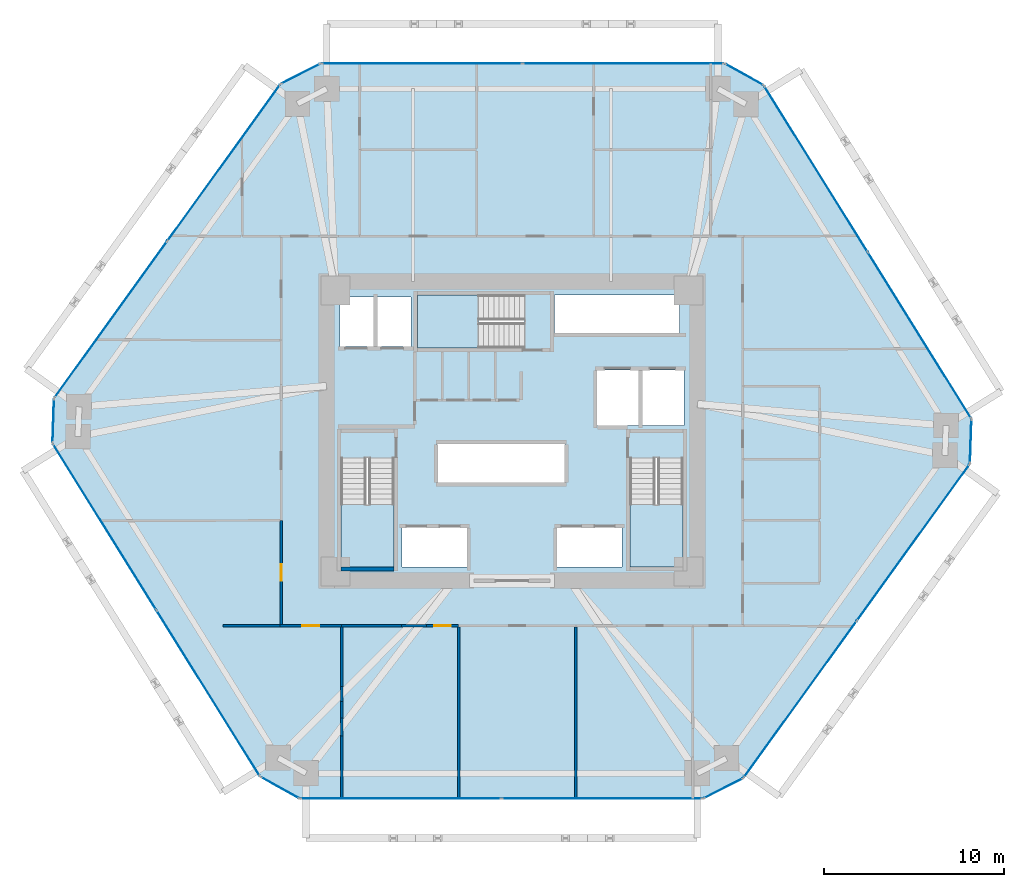
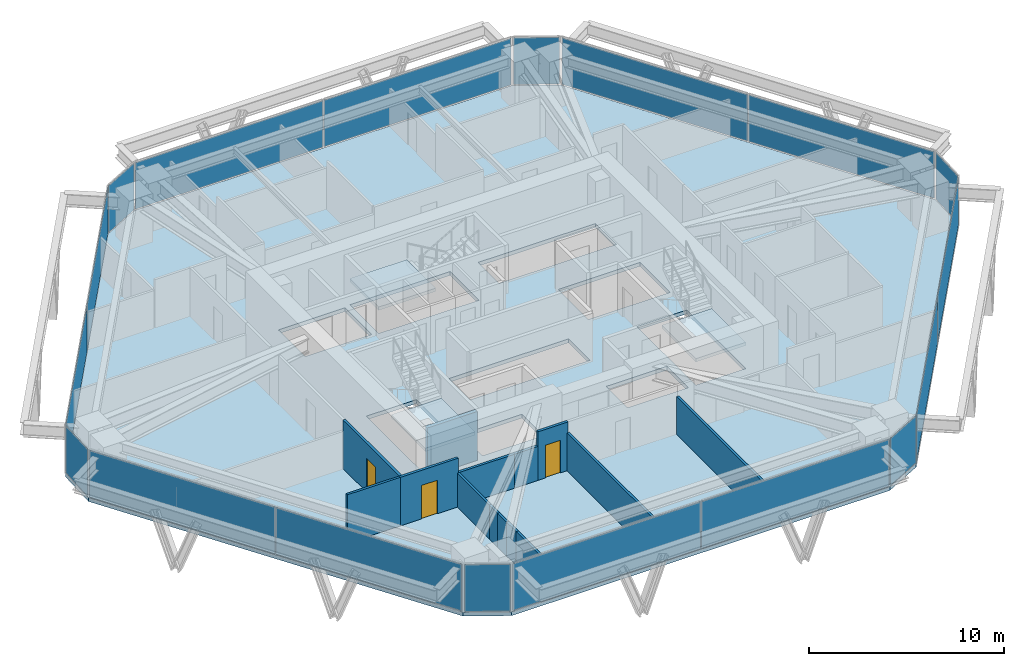
# One storey, part 10 of 15: 18 plates, 14 walls, 4 slabs, 3 doors, 3 openings, 15 elements without a shape of their own.
"""IFC4 building model written with IfcOpenShell, lengths in metres."""

from ifc_helpers import new_model, si_unit, direction, frame, frame_2d, origin, origin_2d, place, context, subcontext, project, spatial, polyline, rectangle, outline, extrude, source, transform, mapped, material, layer, layer_set, type_object, type_shapes, element, fill, aggregate, save


model = new_model("IFC4")

# Units and contexts
model_context = context("Model", 3, precision=1e-05, world=origin(), true_north=direction((0.0, 1.0)))
body_context = subcontext(model_context, "Body", "Model", "MODEL_VIEW")
ifc_project = project(units=[si_unit("LENGTHUNIT", "METRE"), si_unit("AREAUNIT", "SQUARE_METRE"), si_unit("VOLUMEUNIT", "CUBIC_METRE"), si_unit("PLANEANGLEUNIT", "RADIAN"), si_unit("MASSUNIT", "GRAM", prefix="KILO")], contexts=[model_context])

# Site, building, storey
site_placement = place(None, origin())
site = spatial("IfcSite", under=ifc_project, at=site_placement, CompositionType="ELEMENT")
building_placement = place(site_placement, origin())
building = spatial("IfcBuilding", under=site, at=building_placement, Name="Durnholm Broadcast Tower", CompositionType="ELEMENT")
storey_placement = place(building_placement, frame((0.0, 0.0, 42.300048828125)))
storey = spatial("IfcBuildingStorey", under=building, at=storey_placement, Name="L09", CompositionType="ELEMENT", Elevation=42.300048828125)

# Slab
ifc_material_1 = material(Name="Concrete C50/60", Category="concrete")
ifc_layer_1 = layer(ifc_material_1, 0.239990234375)
ifc_layer_set_1 = layer_set([ifc_layer_1], Name="Concrete C50/60")
slab_type_1 = type_object("IfcSlabType", Name="SLAB-FLR-240", PredefinedType="FLOOR", material=ifc_layer_set_1)
slab_1_placement = place(storey_placement, frame((0.0, 0.0, -0.239990234375)))
element("IfcSlab", 1, at=slab_1_placement, inside=storey, type_object=slab_type_1, Name="L09 structural floor slab", PredefinedType="FLOOR", context=body_context, shape_type="SweptSolid", body=[
    extrude(outline(polyline([(-13.9794921875, -19.186279296875), (-11.793701171875, -20.39990234375), (10.6201171875, -20.39990234375), (12.845703125, -19.260986328125), (25.419921875, -1.820556640625), (25.50439453125, 0.677978515625), (13.9794921875, 19.186279296875), (11.793701171875, 20.39990234375), (-10.6201171875, 20.39990234375), (-12.845703125, 19.260986328125), (-25.419921875, 1.820556640625), (-25.50439453125, -0.677978515625), (-13.9794921875, -19.186279296875)]), holes=[polyline([(-2.5, -5.35009765625), (-6.10009765625, -5.35009765625), (-6.10009765625, -7.550048828125), (-2.5, -7.550048828125), (-2.5, -5.35009765625)]), polyline([(6.10009765625, -5.35009765625), (2.5, -5.35009765625), (2.5, -7.550048828125), (6.10009765625, -7.550048828125), (6.10009765625, -5.35009765625)]), polyline([(-6.5400390625, -7.550048828125), (-6.5400390625, -1.5), (-9.5, -1.5), (-9.5, -7.550048828125), (-6.5400390625, -7.550048828125)]), polyline([(9.5, -7.550048828125), (9.5, -1.5), (6.5400390625, -1.5), (6.5400390625, -7.550048828125), (9.5, -7.550048828125)]), polyline([(2.949951171875, -0.699951171875), (-4.14990234375, -0.699951171875), (-4.14990234375, -2.89990234375), (2.949951171875, -2.89990234375), (2.949951171875, -0.699951171875)]), polyline([(9.550048828125, 3.39990234375), (4.699951171875, 3.39990234375), (4.699951171875, 0.300048828125), (9.550048828125, 0.300048828125), (9.550048828125, 3.39990234375)]), polyline([(-5.60009765625, 7.449951171875), (-9.550048828125, 7.449951171875), (-9.550048828125, 4.699951171875), (-5.60009765625, 4.699951171875), (-5.60009765625, 7.449951171875)]), polyline([(-5.25, 7.56005859375), (-5.25, 4.60009765625), (0.699951171875, 4.60009765625), (0.699951171875, 7.56005859375), (-5.25, 7.56005859375)]), polyline([(9.31005859375, 5.39990234375), (9.31005859375, 7.550048828125), (2.35009765625, 7.550048828125), (2.35009765625, 5.39990234375), (9.31005859375, 5.39990234375)])]), origin(), (0.0, 0.0, 1.0), 0.239990234375),
])

# Stair, slab
stair_type = type_object("IfcStairType", Name="STAIR-DL-20R1650", PredefinedType="HALF_TURN_STAIR", material=ifc_material_1)
stair_1_placement = place(storey_placement, origin())
stair_1 = element("IfcStair", 2, at=stair_1_placement, inside=storey, type_object=stair_type, Name="L09 ST-1", PredefinedType="HALF_TURN_STAIR")
ifc_layer_2 = layer(ifc_material_1, 0.199951171875)
ifc_layer_set_2 = layer_set([ifc_layer_2], Name="Concrete C50/60")
slab_type_2 = type_object("IfcSlabType", Name="SLAB-LND-200", PredefinedType="LANDING", material=ifc_layer_set_2)
slab_2_placement = place(storey_placement, frame((0.0, 0.0, 1.449951171875)))
slab_2 = element("IfcSlab", 3, at=slab_2_placement, type_object=slab_type_2, Name="ST-1 landing 1", PredefinedType="LANDING", context=body_context, shape_type="SweptSolid", body=[
    extrude(outline(polyline([(-9.5, -4.06494140625), (-9.5, -7.550048828125), (-6.5400390625, -7.550048828125), (-6.5400390625, -4.06494140625), (-9.5, -4.06494140625)])), origin(), (0.0, 0.0, 1.0), 0.199951171875),
])
aggregate(stair_1, [slab_2])

stair_2_placement = place(storey_placement, origin())
stair_2 = element("IfcStair", 4, at=stair_2_placement, inside=storey, type_object=stair_type, Name="L09 ST-2", PredefinedType="HALF_TURN_STAIR")
slab_3_placement = place(storey_placement, frame((0.0, 0.0, 1.449951171875)))
slab_3 = element("IfcSlab", 5, at=slab_3_placement, type_object=slab_type_2, Name="ST-2 landing 1", PredefinedType="LANDING", context=body_context, shape_type="SweptSolid", body=[
    extrude(outline(polyline([(6.5400390625, -4.06494140625), (6.5400390625, -7.550048828125), (9.5, -7.550048828125), (9.5, -4.06494140625), (6.5400390625, -4.06494140625)])), origin(), (0.0, 0.0, 1.0), 0.199951171875),
])
aggregate(stair_2, [slab_3])

stair_3_placement = place(storey_placement, origin())
stair_3 = element("IfcStair", 6, at=stair_3_placement, inside=storey, type_object=stair_type, Name="L09 ST-3", PredefinedType="HALF_TURN_STAIR")
slab_4_placement = place(storey_placement, frame((0.0, 0.0, 1.449951171875)))
slab_4 = element("IfcSlab", 7, at=slab_4_placement, type_object=slab_type_2, Name="ST-3 landing 1", PredefinedType="LANDING", context=body_context, shape_type="SweptSolid", body=[
    extrude(outline(polyline([(-1.864990234375, 7.56005859375), (-5.25, 7.56005859375), (-5.25, 4.60009765625), (-1.864990234375, 4.60009765625), (-1.864990234375, 7.56005859375)])), origin(), (0.0, 0.0, 1.0), 0.199951171875),
])
aggregate(stair_3, [slab_4])

# Curtain wall, plate
ifc_material_2 = material(Name="Aluminium and Solar Control IGU", Category="aluminium")
ifc_layer_3 = layer(ifc_material_2, 0.1650390625)
ifc_layer_set_3 = layer_set([ifc_layer_3], Name="Aluminium and Solar Control IGU")
curtain_wall_type_1 = type_object("IfcCurtainWallType", Name="CW-SYS-5", PredefinedType="NOTDEFINED", material=ifc_layer_set_3)
curtain_wall_1_placement = place(storey_placement, origin())
curtain_wall_1 = element("IfcCurtainWall", 8, at=curtain_wall_1_placement, inside=storey, type_object=curtain_wall_type_1, Name="L09 curtain wall CW-CORNER CW-L09-CRN-01", PredefinedType="NOTDEFINED")
ifc_material_3 = material(Name="Low-E Laminated Insulating Glass", Category="glass")
ifc_layer_4 = layer(ifc_material_3, 0.030029296875)
ifc_layer_set_4 = layer_set([ifc_layer_4], Name="Low-E Laminated Insulating Glass")
plate_type_1 = type_object("IfcPlateType", Name="CW-SYS-5-PNL", PredefinedType="CURTAIN_PANEL", material=ifc_layer_set_4)
shared_shape_1 = source(origin(), body_context, "Body", "SweptSolid", [
    extrude(rectangle(XDim=2.3701171875, YDim=0.030029296875, at=origin_2d()), origin(), (0.0, 0.0, 1.0), 2.929931640625),
])
plate_1_placement = place(storey_placement, frame((-25.462158203125, 0.5712890625, 0.06494140625), z_axis=(0.0, 0.0, 1.0), x_axis=(0.033839569233, 0.999427277772, 0.0)))
plate_1 = element("IfcPlate", 9, at=plate_1_placement, type_object=plate_type_1, Name="CW-CORNER panel 1.1", PredefinedType="CURTAIN_PANEL", context=body_context, shape_type="MappedRepresentation", body=[
    mapped(shared_shape_1, transform((0.0, 0.0, 0.0), x_axis=(1.0, 0.0, 0.0), y_axis=(0.0, 1.0, 0.0), z_axis=(0.0, 0.0, 1.0), scale=1.0)),
])
aggregate(curtain_wall_1, [plate_1])

curtain_wall_2_placement = place(storey_placement, origin())
curtain_wall_2 = element("IfcCurtainWall", 10, at=curtain_wall_2_placement, inside=storey, type_object=curtain_wall_type_1, Name="L09 curtain wall CW-CORNER CW-L09-CRN-03", PredefinedType="NOTDEFINED")
plate_2_placement = place(storey_placement, frame((-11.73291015625, 19.83056640625, 0.06494140625), z_axis=(0.0, 0.0, 1.0), x_axis=(0.890187804512, 0.455593758406, 0.0)))
plate_2 = element("IfcPlate", 11, at=plate_2_placement, type_object=plate_type_1, Name="CW-CORNER panel 1.1", PredefinedType="CURTAIN_PANEL", context=body_context, shape_type="MappedRepresentation", body=[
    mapped(shared_shape_1, transform((0.0, 0.0, 0.0), x_axis=(1.0, 0.0, 0.0), y_axis=(0.0, 1.0, 0.0), z_axis=(0.0, 0.0, 1.0), scale=1.0)),
])
aggregate(curtain_wall_2, [plate_2])

curtain_wall_3_placement = place(storey_placement, origin())
curtain_wall_3 = element("IfcCurtainWall", 12, at=curtain_wall_3_placement, inside=storey, type_object=curtain_wall_type_1, Name="L09 curtain wall CW-CORNER CW-L09-CRN-07", PredefinedType="NOTDEFINED")
plate_3_placement = place(storey_placement, frame((25.462158203125, -0.5712890625, 0.06494140625), z_axis=(0.0, 0.0, 1.0), x_axis=(-0.033839569233, -0.999427277772, 0.0)))
plate_3 = element("IfcPlate", 13, at=plate_3_placement, type_object=plate_type_1, Name="CW-CORNER panel 1.1", PredefinedType="CURTAIN_PANEL", context=body_context, shape_type="MappedRepresentation", body=[
    mapped(shared_shape_1, transform((0.0, 0.0, 0.0), x_axis=(1.0, 0.0, 0.0), y_axis=(0.0, 1.0, 0.0), z_axis=(0.0, 0.0, 1.0), scale=1.0)),
])
aggregate(curtain_wall_3, [plate_3])

curtain_wall_4_placement = place(storey_placement, origin())
curtain_wall_4 = element("IfcCurtainWall", 14, at=curtain_wall_4_placement, inside=storey, type_object=curtain_wall_type_1, Name="L09 curtain wall CW-CORNER CW-L09-CRN-09", PredefinedType="NOTDEFINED")
plate_4_placement = place(storey_placement, frame((11.73291015625, -19.83056640625, 0.06494140625), z_axis=(0.0, 0.0, 1.0), x_axis=(-0.890187804512, -0.455593758406, 0.0)))
plate_4 = element("IfcPlate", 15, at=plate_4_placement, type_object=plate_type_1, Name="CW-CORNER panel 1.1", PredefinedType="CURTAIN_PANEL", context=body_context, shape_type="MappedRepresentation", body=[
    mapped(shared_shape_1, transform((0.0, 0.0, 0.0), x_axis=(1.0, 0.0, 0.0), y_axis=(0.0, 1.0, 0.0), z_axis=(0.0, 0.0, 1.0), scale=1.0)),
])
aggregate(curtain_wall_4, [plate_4])

# Curtain wall, plates
ifc_layer_5 = layer(ifc_material_2, 0.18994140625)
ifc_layer_set_5 = layer_set([ifc_layer_5], Name="Aluminium and Solar Control IGU")
curtain_wall_type_2 = type_object("IfcCurtainWallType", Name="CW-SYS-3", PredefinedType="NOTDEFINED", material=ifc_layer_set_5)
curtain_wall_5_placement = place(storey_placement, origin())
curtain_wall_5 = element("IfcCurtainWall", 16, at=curtain_wall_5_placement, inside=storey, type_object=curtain_wall_type_2, Name="L09 curtain wall CW-Z12-VIS CW-L09-F02", PredefinedType="NOTDEFINED")
ifc_layer_6 = layer(ifc_material_3, 0.031982421875)
ifc_layer_set_6 = layer_set([ifc_layer_6], Name="Low-E Laminated Insulating Glass")
plate_type_2 = type_object("IfcPlateType", Name="CW-SYS-3-PNL", PredefinedType="CURTAIN_PANEL", material=ifc_layer_set_6)
shared_shape_2 = source(origin(), body_context, "Body", "SweptSolid", [
    extrude(rectangle(XDim=10.645263671875, YDim=0.031982421875, at=origin_2d()), origin(), (0.0, 0.0, 1.0), 2.919921875),
])
plate_5_placement = place(storey_placement, frame((-22.26611328125, 6.19482421875, 0.070068359375), z_axis=(0.0, 0.0, 1.0), x_axis=(0.584823496176, 0.81116057493, 0.0)))
plate_5 = element("IfcPlate", 17, at=plate_5_placement, type_object=plate_type_2, Name="CW-Z12-VIS panel 1.1", PredefinedType="CURTAIN_PANEL", context=body_context, shape_type="MappedRepresentation", body=[
    mapped(shared_shape_2, transform((0.0, 0.0, 0.0), x_axis=(1.0, 0.0, 0.0), y_axis=(0.0, 1.0, 0.0), z_axis=(0.0, 0.0, 1.0), scale=1.0)),
])
plate_6_placement = place(storey_placement, frame((-15.99951171875, 14.88671875, 0.070068359375), z_axis=(0.0, 0.0, 1.0), x_axis=(0.584823496176, 0.81116057493, 0.0)))
plate_6 = element("IfcPlate", 18, at=plate_6_placement, type_object=plate_type_2, Name="CW-Z12-VIS panel 2.1", PredefinedType="CURTAIN_PANEL", context=body_context, shape_type="MappedRepresentation", body=[
    mapped(shared_shape_2, transform((0.0, 0.0, 0.0), x_axis=(1.0, 0.0, 0.0), y_axis=(0.0, 1.0, 0.0), z_axis=(0.0, 0.0, 1.0), scale=1.0)),
])
aggregate(curtain_wall_5, [plate_5, plate_6])

curtain_wall_6_placement = place(storey_placement, origin())
curtain_wall_6 = element("IfcCurtainWall", 19, at=curtain_wall_6_placement, inside=storey, type_object=curtain_wall_type_2, Name="L09 curtain wall CW-Z12-VIS CW-L09-F08", PredefinedType="NOTDEFINED")
plate_7_placement = place(storey_placement, frame((22.26611328125, -6.19482421875, 0.070068359375), z_axis=(0.0, 0.0, 1.0), x_axis=(-0.584823496176, -0.81116057493, 0.0)))
plate_7 = element("IfcPlate", 20, at=plate_7_placement, type_object=plate_type_2, Name="CW-Z12-VIS panel 1.1", PredefinedType="CURTAIN_PANEL", context=body_context, shape_type="MappedRepresentation", body=[
    mapped(shared_shape_2, transform((0.0, 0.0, 0.0), x_axis=(1.0, 0.0, 0.0), y_axis=(0.0, 1.0, 0.0), z_axis=(0.0, 0.0, 1.0), scale=1.0)),
])
plate_8_placement = place(storey_placement, frame((15.99951171875, -14.88671875, 0.070068359375), z_axis=(0.0, 0.0, 1.0), x_axis=(-0.584823496176, -0.81116057493, 0.0)))
plate_8 = element("IfcPlate", 21, at=plate_8_placement, type_object=plate_type_2, Name="CW-Z12-VIS panel 2.1", PredefinedType="CURTAIN_PANEL", context=body_context, shape_type="MappedRepresentation", body=[
    mapped(shared_shape_2, transform((0.0, 0.0, 0.0), x_axis=(1.0, 0.0, 0.0), y_axis=(0.0, 1.0, 0.0), z_axis=(0.0, 0.0, 1.0), scale=1.0)),
])
aggregate(curtain_wall_6, [plate_7, plate_8])

# Curtain wall, plate
curtain_wall_7_placement = place(storey_placement, origin())
curtain_wall_7 = element("IfcCurtainWall", 22, at=curtain_wall_7_placement, inside=storey, type_object=curtain_wall_type_1, Name="L09 curtain wall CW-CORNER CW-L09-CRN-05", PredefinedType="NOTDEFINED")
shared_shape_3 = source(origin(), body_context, "Body", "SweptSolid", [
    extrude(rectangle(XDim=2.369873046875, YDim=0.030029296875, at=origin_2d()), origin(), (0.0, 0.0, 1.0), 2.929931640625),
])
type_shapes(plate_type_1, [shared_shape_1, shared_shape_3])
plate_9_placement = place(storey_placement, frame((12.88671875, 19.793212890625, 0.06494140625), z_axis=(0.0, 0.0, 1.0), x_axis=(0.874245941394, -0.485483299359, 0.0)))
plate_9 = element("IfcPlate", 23, at=plate_9_placement, type_object=plate_type_1, Name="CW-CORNER panel 1.1", PredefinedType="CURTAIN_PANEL", context=body_context, shape_type="MappedRepresentation", body=[
    mapped(shared_shape_3, transform((0.0, 0.0, 0.0), x_axis=(1.0, 0.0, 0.0), y_axis=(0.0, 1.0, 0.0), z_axis=(0.0, 0.0, 1.0), scale=1.0)),
])
aggregate(curtain_wall_7, [plate_9])

curtain_wall_8_placement = place(storey_placement, origin())
curtain_wall_8 = element("IfcCurtainWall", 24, at=curtain_wall_8_placement, inside=storey, type_object=curtain_wall_type_1, Name="L09 curtain wall CW-CORNER CW-L09-CRN-11", PredefinedType="NOTDEFINED")
plate_10_placement = place(storey_placement, frame((-12.88671875, -19.793212890625, 0.06494140625), z_axis=(0.0, 0.0, 1.0), x_axis=(-0.874245941394, 0.485483299359, 0.0)))
plate_10 = element("IfcPlate", 25, at=plate_10_placement, type_object=plate_type_1, Name="CW-CORNER panel 1.1", PredefinedType="CURTAIN_PANEL", context=body_context, shape_type="MappedRepresentation", body=[
    mapped(shared_shape_3, transform((0.0, 0.0, 0.0), x_axis=(1.0, 0.0, 0.0), y_axis=(0.0, 1.0, 0.0), z_axis=(0.0, 0.0, 1.0), scale=1.0)),
])
aggregate(curtain_wall_8, [plate_10])

# Curtain wall, plates
curtain_wall_9_placement = place(storey_placement, origin())
curtain_wall_9 = element("IfcCurtainWall", 26, at=curtain_wall_9_placement, inside=storey, type_object=curtain_wall_type_2, Name="L09 curtain wall CW-Z12-VIS CW-L09-F06", PredefinedType="NOTDEFINED")
shared_shape_4 = source(origin(), body_context, "Body", "SweptSolid", [
    extrude(rectangle(XDim=10.796630859375, YDim=0.031982421875, at=origin_2d()), origin(), (0.0, 0.0, 1.0), 2.919921875),
])
plate_11_placement = place(storey_placement, frame((16.869873046875, 14.54443359375, 0.070068359375), z_axis=(0.0, 0.0, 1.0), x_axis=(0.528592376777, -0.848875785503, 0.0)))
plate_11 = element("IfcPlate", 27, at=plate_11_placement, type_object=plate_type_2, Name="CW-Z12-VIS panel 1.1", PredefinedType="CURTAIN_PANEL", context=body_context, shape_type="MappedRepresentation", body=[
    mapped(shared_shape_4, transform((0.0, 0.0, 0.0), x_axis=(1.0, 0.0, 0.0), y_axis=(0.0, 1.0, 0.0), z_axis=(0.0, 0.0, 1.0), scale=1.0)),
])
plate_12_placement = place(storey_placement, frame((22.614013671875, 5.320068359375, 0.070068359375), z_axis=(0.0, 0.0, 1.0), x_axis=(0.528592376777, -0.848875785503, 0.0)))
plate_12 = element("IfcPlate", 28, at=plate_12_placement, type_object=plate_type_2, Name="CW-Z12-VIS panel 2.1", PredefinedType="CURTAIN_PANEL", context=body_context, shape_type="MappedRepresentation", body=[
    mapped(shared_shape_4, transform((0.0, 0.0, 0.0), x_axis=(1.0, 0.0, 0.0), y_axis=(0.0, 1.0, 0.0), z_axis=(0.0, 0.0, 1.0), scale=1.0)),
])
aggregate(curtain_wall_9, [plate_11, plate_12])

curtain_wall_10_placement = place(storey_placement, origin())
curtain_wall_10 = element("IfcCurtainWall", 29, at=curtain_wall_10_placement, inside=storey, type_object=curtain_wall_type_2, Name="L09 curtain wall CW-Z12-VIS CW-L09-F12", PredefinedType="NOTDEFINED")
plate_13_placement = place(storey_placement, frame((-16.869873046875, -14.54443359375, 0.070068359375), z_axis=(0.0, 0.0, 1.0), x_axis=(-0.528592376777, 0.848875785503, 0.0)))
plate_13 = element("IfcPlate", 30, at=plate_13_placement, type_object=plate_type_2, Name="CW-Z12-VIS panel 1.1", PredefinedType="CURTAIN_PANEL", context=body_context, shape_type="MappedRepresentation", body=[
    mapped(shared_shape_4, transform((0.0, 0.0, 0.0), x_axis=(1.0, 0.0, 0.0), y_axis=(0.0, 1.0, 0.0), z_axis=(0.0, 0.0, 1.0), scale=1.0)),
])
plate_14_placement = place(storey_placement, frame((-22.614013671875, -5.320068359375, 0.070068359375), z_axis=(0.0, 0.0, 1.0), x_axis=(-0.528592376777, 0.848875785503, 0.0)))
plate_14 = element("IfcPlate", 31, at=plate_14_placement, type_object=plate_type_2, Name="CW-Z12-VIS panel 2.1", PredefinedType="CURTAIN_PANEL", context=body_context, shape_type="MappedRepresentation", body=[
    mapped(shared_shape_4, transform((0.0, 0.0, 0.0), x_axis=(1.0, 0.0, 0.0), y_axis=(0.0, 1.0, 0.0), z_axis=(0.0, 0.0, 1.0), scale=1.0)),
])
aggregate(curtain_wall_10, [plate_13, plate_14])

curtain_wall_11_placement = place(storey_placement, origin())
curtain_wall_11 = element("IfcCurtainWall", 32, at=curtain_wall_11_placement, inside=storey, type_object=curtain_wall_type_2, Name="L09 curtain wall CW-Z12-VIS CW-L09-F04", PredefinedType="NOTDEFINED")
shared_shape_5 = source(origin(), body_context, "Body", "SweptSolid", [
    extrude(rectangle(XDim=11.10205078125, YDim=0.031982421875, at=origin_2d()), origin(), (0.0, 0.0, 1.0), 2.919921875),
])
type_shapes(plate_type_2, [shared_shape_2, shared_shape_4, shared_shape_5])
plate_15_placement = place(storey_placement, frame((-4.999267578125, 20.39990234375, 0.070068359375), z_axis=(0.0, 0.0, 1.0), x_axis=(1.0, 0.0, 0.0)))
plate_15 = element("IfcPlate", 33, at=plate_15_placement, type_object=plate_type_2, Name="CW-Z12-VIS panel 1.1", PredefinedType="CURTAIN_PANEL", context=body_context, shape_type="MappedRepresentation", body=[
    mapped(shared_shape_5, transform((0.0, 0.0, 0.0), x_axis=(1.0, 0.0, 0.0), y_axis=(0.0, 1.0, 0.0), z_axis=(0.0, 0.0, 1.0), scale=1.0)),
])
plate_16_placement = place(storey_placement, frame((6.1728515625, 20.39990234375, 0.070068359375), z_axis=(0.0, 0.0, 1.0), x_axis=(1.0, 0.0, 0.0)))
plate_16 = element("IfcPlate", 34, at=plate_16_placement, type_object=plate_type_2, Name="CW-Z12-VIS panel 2.1", PredefinedType="CURTAIN_PANEL", context=body_context, shape_type="MappedRepresentation", body=[
    mapped(shared_shape_5, transform((0.0, 0.0, 0.0), x_axis=(1.0, 0.0, 0.0), y_axis=(0.0, 1.0, 0.0), z_axis=(0.0, 0.0, 1.0), scale=1.0)),
])
aggregate(curtain_wall_11, [plate_15, plate_16])

curtain_wall_12_placement = place(storey_placement, origin())
curtain_wall_12 = element("IfcCurtainWall", 35, at=curtain_wall_12_placement, inside=storey, type_object=curtain_wall_type_2, Name="L09 curtain wall CW-Z12-VIS CW-L09-F10", PredefinedType="NOTDEFINED")
plate_17_placement = place(storey_placement, frame((4.999267578125, -20.39990234375, 0.070068359375), z_axis=(0.0, 0.0, 1.0), x_axis=(-1.0, 0.0, 0.0)))
plate_17 = element("IfcPlate", 36, at=plate_17_placement, type_object=plate_type_2, Name="CW-Z12-VIS panel 1.1", PredefinedType="CURTAIN_PANEL", context=body_context, shape_type="MappedRepresentation", body=[
    mapped(shared_shape_5, transform((0.0, 0.0, 0.0), x_axis=(1.0, 0.0, 0.0), y_axis=(0.0, 1.0, 0.0), z_axis=(0.0, 0.0, 1.0), scale=1.0)),
])
plate_18_placement = place(storey_placement, frame((-6.1728515625, -20.39990234375, 0.070068359375), z_axis=(0.0, 0.0, 1.0), x_axis=(-1.0, 0.0, 0.0)))
plate_18 = element("IfcPlate", 37, at=plate_18_placement, type_object=plate_type_2, Name="CW-Z12-VIS panel 2.1", PredefinedType="CURTAIN_PANEL", context=body_context, shape_type="MappedRepresentation", body=[
    mapped(shared_shape_5, transform((0.0, 0.0, 0.0), x_axis=(1.0, 0.0, 0.0), y_axis=(0.0, 1.0, 0.0), z_axis=(0.0, 0.0, 1.0), scale=1.0)),
])
aggregate(curtain_wall_12, [plate_17, plate_18])

# Walls
ifc_material_4 = material(Name="Gypsum Metal Stud Partition", Category="concrete")
ifc_layer_7 = layer(ifc_material_4, 0.135009765625)
ifc_layer_set_7 = layer_set([ifc_layer_7], Name="Gypsum Metal Stud Partition")
wall_type_1 = type_object("IfcWallType", Name="WALL-PART-135", PredefinedType="PARTITIONING", material=ifc_layer_set_7)
wall_1_placement = place(storey_placement, frame((-9.4599609375, -10.888916015625, 0.0), z_axis=(0.0, 0.0, 1.0), x_axis=(0.0, -1.0, 0.0)))
element("IfcWall", 38, at=wall_1_placement, inside=storey, type_object=wall_type_1, Name="L09 room dividing partition 16.17", PredefinedType="PARTITIONING", context=body_context, shape_type="SweptSolid", body=[
    extrude(rectangle(XDim=3.2783203125, YDim=0.135009765625, at=frame_2d((1.63916015625, 0.0))), origin(), (0.0, 0.0, 1.0), 2.130126953125),
])
wall_2_placement = place(storey_placement, frame((-9.4599609375, -15.02392578125, 0.0), z_axis=(0.0, 0.0, 1.0), x_axis=(0.0, -1.0, 0.0)))
element("IfcWall", 39, at=wall_2_placement, inside=storey, type_object=wall_type_1, Name="L09 room dividing partition 16.17", PredefinedType="PARTITIONING", context=body_context, shape_type="SweptSolid", body=[
    extrude(rectangle(XDim=0.91845703125, YDim=0.135009765625, at=frame_2d((0.459228515625, 0.0))), origin(), (0.0, 0.0, 1.0), 2.130126953125),
])
wall_3_placement = place(storey_placement, frame((-9.4599609375, -16.932861328125, 0.0), z_axis=(0.0, 0.0, 1.0), x_axis=(0.0, -1.0, 0.0)))
element("IfcWall", 40, at=wall_3_placement, inside=storey, type_object=wall_type_1, Name="L09 room dividing partition 16.17", PredefinedType="PARTITIONING", context=body_context, shape_type="SweptSolid", body=[
    extrude(rectangle(XDim=3.467041015625, YDim=0.135009765625, at=frame_2d((1.7333984375, 0.0))), origin(), (0.0, 0.0, 1.0), 2.130126953125),
])
wall_4_placement = place(storey_placement, frame((-9.4599609375, -14.167236328125, 0.0), z_axis=(0.0, 0.0, 1.0), x_axis=(0.0, -1.0, 0.0)))
element("IfcWall", 41, at=wall_4_placement, inside=storey, type_object=wall_type_1, Name="L09 room dividing partition 16.17", PredefinedType="PARTITIONING", context=body_context, shape_type="SweptSolid", body=[
    extrude(rectangle(XDim=0.856689453125, YDim=0.135009765625, at=frame_2d((0.42822265625, 0.0))), origin(), (0.0, 0.0, 1.0), 2.130126953125),
])
wall_5_placement = place(storey_placement, frame((-9.4599609375, -15.9423828125, 0.0), z_axis=(0.0, 0.0, 1.0), x_axis=(0.0, -1.0, 0.0)))
element("IfcWall", 42, at=wall_5_placement, inside=storey, type_object=wall_type_1, Name="L09 room dividing partition 16.17", PredefinedType="PARTITIONING", context=body_context, shape_type="SweptSolid", body=[
    extrude(rectangle(XDim=0.990478515625, YDim=0.135009765625, at=frame_2d((0.4951171875, 0.0))), origin(), (0.0, 0.0, 1.0), 2.130126953125),
])
wall_6_placement = place(storey_placement, frame((-16.0400390625, -10.81005859375, 0.0), z_axis=(0.0, 0.0, 1.0), x_axis=(1.0, 0.0, 0.0)))
element("IfcWall", 43, at=wall_6_placement, inside=storey, type_object=wall_type_1, Name="L09 room dividing partition 16.21", PredefinedType="PARTITIONING", context=body_context, shape_type="SweptSolid", body=[
    extrude(rectangle(XDim=3.150146484375, YDim=0.135009765625, at=frame_2d((1.5751953125, 0.0))), origin(), (0.0, 0.0, 1.0), 3.044921875),
])
for number, where, z_axis, x_axis, name in (
    (44, (-2.9599609375, -10.888916015625, 0.0), (0.0, 0.0, 1.0), (0.0, -1.0, 0.0), "L09 room dividing partition 17.18"),
    (45, (3.5400390625, -10.888916015625, 0.0), (0.0, 0.0, 1.0), (0.0, -1.0, 0.0), "L09 room dividing partition 18.19"),
):
    element("IfcWall", number, at=place(storey_placement, frame(where, z_axis=z_axis, x_axis=x_axis)), inside=storey, type_object=wall_type_1, Name=name, PredefinedType="PARTITIONING", context=body_context, shape_type="SweptSolid", body=[
        extrude(rectangle(XDim=9.510986328125, YDim=0.135009765625, at=frame_2d((4.75537109375, 0.0))), origin(), (0.0, 0.0, 1.0), 2.3798828125),
    ])

# Wall, opening, door
ifc_material_5 = material(Name="Acoustic Gypsum Stud Partition", Category="concrete")
ifc_layer_8 = layer(ifc_material_5, 0.14990234375)
ifc_layer_set_8 = layer_set([ifc_layer_8], Name="Acoustic Gypsum Stud Partition")
wall_type_2 = type_object("IfcWallType", Name="WALL-PART-150", PredefinedType="PARTITIONING", material=ifc_layer_set_8)
wall_7_placement = place(storey_placement, frame((-12.889892578125, -10.81005859375, 0.0), z_axis=(0.0, 0.0, 1.0), x_axis=(1.0, 0.0, 0.0)))
wall_7 = element("IfcWall", 46, at=wall_7_placement, inside=storey, type_object=wall_type_2, Name="L09 Media Legal Office corridor partition", PredefinedType="PARTITIONING", context=body_context, shape_type="SweptSolid", body=[
    extrude(rectangle(XDim=3.429931640625, YDim=0.14990234375, at=frame_2d((1.71484375, 0.0))), origin(), (0.0, 0.0, 1.0), 3.044921875),
])
opening_1_placement = place(wall_7_placement, frame((1.239990234375, 0.0, 0.0)))
opening_1 = element("IfcOpeningElement", 47, at=opening_1_placement, cuts=wall_7, Name="Opening DR-95L", PredefinedType="OPENING", context=body_context, shape_type="SweptSolid", body=[
    extrude(rectangle(XDim=0.949951171875, YDim=2.10009765625, at=frame_2d((0.47509765625, 1.050048828125))), frame((0.0, 0.0849609375, 0.0), z_axis=(0.0, -1.0, 0.0), x_axis=(1.0, 0.0, 0.0)), (0.0, 0.0, 1.0), 0.169921875),
])
ifc_material_6 = material(Name="Acoustic Oak Veneer Timber Door", Category="wood")
ifc_layer_9 = layer(ifc_material_6, 0.050048828125)
ifc_layer_set_9 = layer_set([ifc_layer_9], Name="Acoustic Oak Veneer Timber Door")
door_type_1 = type_object("IfcDoorType", Name="DOOR-RM-950L", OperationType="NOTDEFINED", PredefinedType="DOOR", material=ifc_layer_set_9)
shared_shape_6 = source(origin(), body_context, "Body", "SweptSolid", [
    extrude(rectangle(XDim=0.949951171875, YDim=2.10009765625, at=frame_2d((0.47509765625, 1.050048828125))), frame((0.0, 0.02490234375, 0.0), z_axis=(0.0, -1.0, 0.0), x_axis=(1.0, 0.0, 0.0)), (0.0, 0.0, 1.0), 0.050048828125),
])
type_shapes(door_type_1, [shared_shape_6])
door_1_placement = place(opening_1_placement, origin())
door_1 = element("IfcDoor", 48, at=door_1_placement, inside=storey, type_object=door_type_1, Name="L09 Media Legal Office entrance door", OperationType="SINGLE_SWING_LEFT", OverallHeight=2.10009765625, OverallWidth=0.949951171875, PredefinedType="DOOR", context=body_context, shape_type="MappedRepresentation", body=[
    mapped(shared_shape_6, transform((0.0, 0.0, 0.0), x_axis=(1.0, 0.0, 0.0), y_axis=(0.0, 1.0, 0.0), z_axis=(0.0, 0.0, 1.0), scale=1.0)),
])
fill(opening_1, door_1)

# Wall
wall_8_placement = place(storey_placement, frame((-9.4599609375, -10.81005859375, 0.0), z_axis=(0.0, 0.0, 1.0), x_axis=(1.0, 0.0, 0.0)))
element("IfcWall", 49, at=wall_8_placement, inside=storey, type_object=wall_type_2, Name="L09 Research Meeting Room corridor partition", PredefinedType="PARTITIONING", context=body_context, shape_type="SweptSolid", body=[
    extrude(rectangle(XDim=3.33837890625, YDim=0.14990234375, at=frame_2d((1.669189453125, 0.0))), origin(), (0.0, 0.0, 1.0), 2.130126953125),
])

# Wall, opening, door
wall_9_placement = place(storey_placement, frame((-4.749755859375, -10.81005859375, 0.0), z_axis=(0.0, 0.0, 1.0), x_axis=(1.0, 0.0, 0.0)))
wall_9 = element("IfcWall", 50, at=wall_9_placement, inside=storey, type_object=wall_type_2, Name="L09 Research Meeting Room corridor partition", PredefinedType="PARTITIONING", context=body_context, shape_type="SweptSolid", body=[
    extrude(rectangle(XDim=1.789794921875, YDim=0.14990234375, at=frame_2d((0.89501953125, 0.0))), origin(), (0.0, 0.0, 1.0), 3.044921875),
])
opening_2_placement = place(wall_9_placement, frame((0.44482421875, 0.0, 0.0)))
opening_2 = element("IfcOpeningElement", 51, at=opening_2_placement, cuts=wall_9, Name="Opening DW-90R", PredefinedType="OPENING", context=body_context, shape_type="SweptSolid", body=[
    extrude(rectangle(XDim=0.89990234375, YDim=2.050048828125, at=frame_2d((0.449951171875, 1.02490234375))), frame((0.0, 0.0849609375, 0.0), z_axis=(0.0, -1.0, 0.0), x_axis=(1.0, 0.0, 0.0)), (0.0, 0.0, 1.0), 0.169921875),
])
ifc_material_7 = material(Name="Laminate Restroom Door", Category="steel")
ifc_layer_10 = layer(ifc_material_7, 0.050048828125)
ifc_layer_set_10 = layer_set([ifc_layer_10], Name="Laminate Restroom Door")
door_type_2 = type_object("IfcDoorType", Name="DOOR-WC-900R", OperationType="NOTDEFINED", PredefinedType="DOOR", material=ifc_layer_set_10)
shared_shape_7 = source(origin(), body_context, "Body", "SweptSolid", [
    extrude(rectangle(XDim=0.89990234375, YDim=2.050048828125, at=frame_2d((0.449951171875, 1.02490234375))), frame((0.0, 0.02490234375, 0.0), z_axis=(0.0, -1.0, 0.0), x_axis=(1.0, 0.0, 0.0)), (0.0, 0.0, 1.0), 0.050048828125),
])
type_shapes(door_type_2, [shared_shape_7])
door_2_placement = place(opening_2_placement, origin())
door_2 = element("IfcDoor", 52, at=door_2_placement, inside=storey, type_object=door_type_2, Name="L09 Research Meeting Room entrance door", OperationType="SINGLE_SWING_RIGHT", OverallHeight=2.050048828125, OverallWidth=0.89990234375, PredefinedType="DOOR", context=body_context, shape_type="MappedRepresentation", body=[
    mapped(shared_shape_7, transform((0.0, 0.0, 0.0), x_axis=(1.0, 0.0, 0.0), y_axis=(0.0, 1.0, 0.0), z_axis=(0.0, 0.0, 1.0), scale=1.0)),
])
fill(opening_2, door_2)

# Wall
wall_10_placement = place(storey_placement, frame((-6.12158203125, -10.81005859375, 0.0), z_axis=(0.0, 0.0, 1.0), x_axis=(1.0, 0.0, 0.0)))
element("IfcWall", 53, at=wall_10_placement, inside=storey, type_object=wall_type_2, Name="L09 Research Meeting Room corridor partition", PredefinedType="PARTITIONING", context=body_context, shape_type="SweptSolid", body=[
    extrude(rectangle(XDim=1.371826171875, YDim=0.14990234375, at=frame_2d((0.68603515625, 0.0))), origin(), (0.0, 0.0, 1.0), 2.130126953125),
])

# Wall, opening, door
wall_11_placement = place(storey_placement, frame((-12.81005859375, -4.9599609375, 0.0), z_axis=(0.0, 0.0, 1.0), x_axis=(0.0, -1.0, 0.0)))
wall_11 = element("IfcWall", 54, at=wall_11_placement, inside=storey, type_object=wall_type_2, Name="L09 Color Timing Office corridor partition", PredefinedType="PARTITIONING", context=body_context, shape_type="SweptSolid", body=[
    extrude(rectangle(XDim=5.77099609375, YDim=0.14990234375, at=frame_2d((2.885498046875, 0.0))), origin(), (0.0, 0.0, 1.0), 3.044921875),
])
opening_3_placement = place(wall_11_placement, frame((2.425537109375, 0.0, 0.0)))
opening_3 = element("IfcOpeningElement", 55, at=opening_3_placement, cuts=wall_11, Name="Opening DR-92L", PredefinedType="OPENING", context=body_context, shape_type="SweptSolid", body=[
    extrude(rectangle(XDim=0.919921875, YDim=2.10009765625, at=frame_2d((0.4599609375, 1.050048828125))), frame((0.0, 0.0849609375, 0.0), z_axis=(0.0, -1.0, 0.0), x_axis=(1.0, 0.0, 0.0)), (0.0, 0.0, 1.0), 0.169921875),
])
ifc_material_8 = material(Name="Oak Veneer Office Door", Category="wood")
ifc_layer_11 = layer(ifc_material_8, 0.050048828125)
ifc_layer_set_11 = layer_set([ifc_layer_11], Name="Oak Veneer Office Door")
door_type_3 = type_object("IfcDoorType", Name="DOOR-RM-920L", OperationType="NOTDEFINED", PredefinedType="DOOR", material=ifc_layer_set_11)
shared_shape_8 = source(origin(), body_context, "Body", "SweptSolid", [
    extrude(rectangle(XDim=0.919921875, YDim=2.10009765625, at=frame_2d((0.4599609375, 1.050048828125))), frame((0.0, 0.02490234375, 0.0), z_axis=(0.0, -1.0, 0.0), x_axis=(1.0, 0.0, 0.0)), (0.0, 0.0, 1.0), 0.050048828125),
])
type_shapes(door_type_3, [shared_shape_8])
door_3_placement = place(opening_3_placement, origin())
door_3 = element("IfcDoor", 56, at=door_3_placement, inside=storey, type_object=door_type_3, Name="L09 Color Timing Office entrance door", OperationType="SINGLE_SWING_LEFT", OverallHeight=2.10009765625, OverallWidth=0.919921875, PredefinedType="DOOR", context=body_context, shape_type="MappedRepresentation", body=[
    mapped(shared_shape_8, transform((0.0, 0.0, 0.0), x_axis=(1.0, 0.0, 0.0), y_axis=(0.0, 1.0, 0.0), z_axis=(0.0, 0.0, 1.0), scale=1.0)),
])
fill(opening_3, door_3)

# Wall
ifc_layer_12 = layer(ifc_material_1, 0.219970703125)
ifc_layer_set_12 = layer_set([ifc_layer_12], Name="Concrete C50/60")
wall_type_3 = type_object("IfcWallType", Name="WALL-SW-220", PredefinedType="SHEAR", material=ifc_layer_set_12)
wall_12_placement = place(storey_placement, frame((-9.5, -7.659912109375, -0.239990234375), z_axis=(0.0, 0.0, 1.0), x_axis=(1.0, 0.0, 0.0)))
element("IfcWall", 57, at=wall_12_placement, inside=storey, type_object=wall_type_3, Name="L09 stair ST-1 structural shaft wall S", PredefinedType="SHEAR", context=body_context, shape_type="SweptSolid", body=[
    extrude(rectangle(XDim=2.9599609375, YDim=0.219970703125, at=frame_2d((1.47998046875, 0.0))), origin(), (0.0, 0.0, 1.0), 3.300048828125),
])

save(model, "model.ifc")
